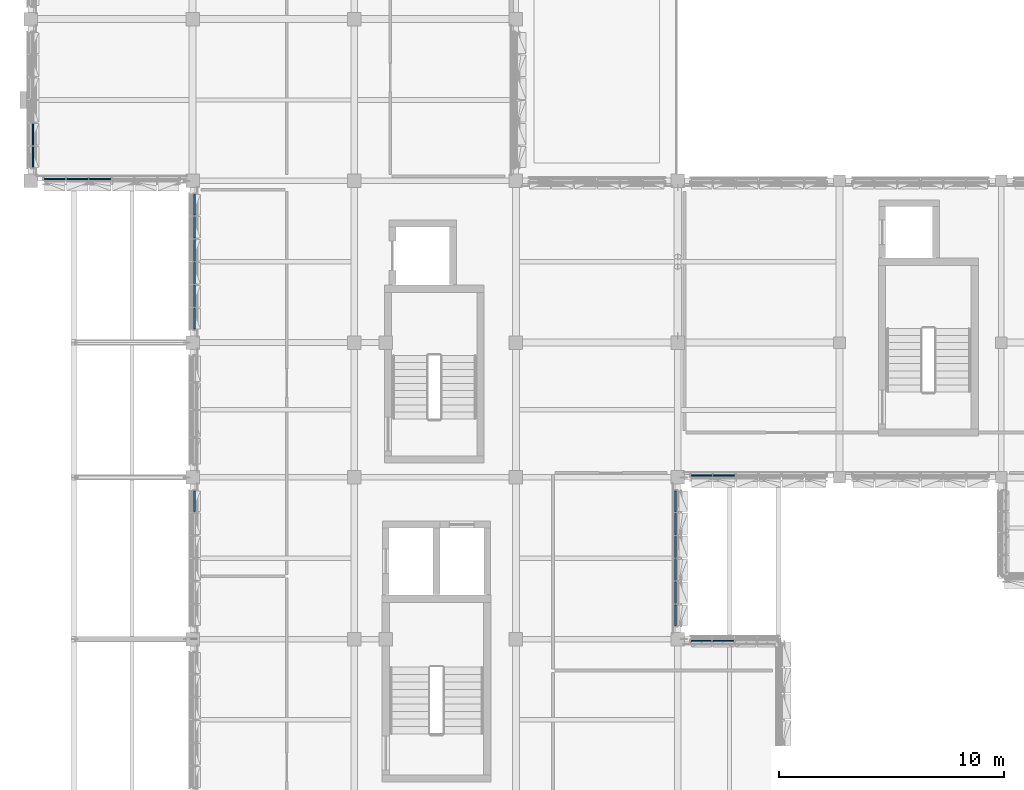
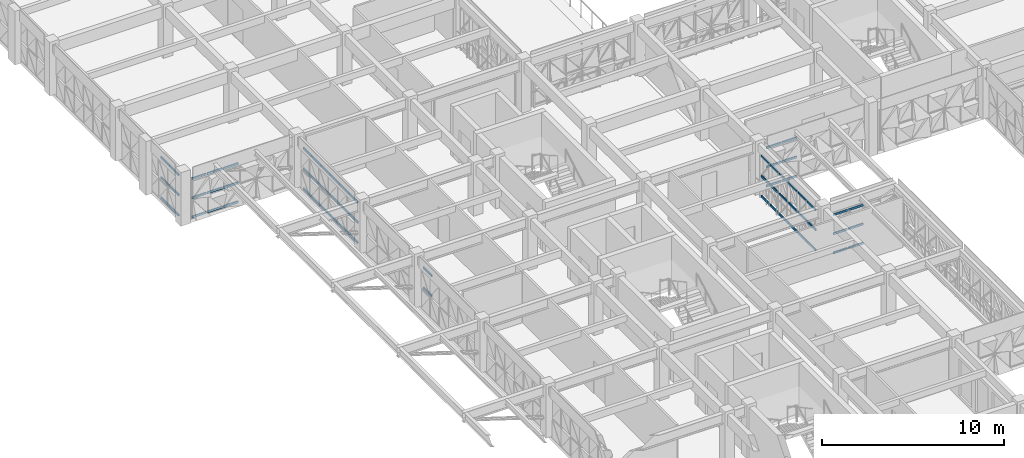
# One storey, part 22 of 99: 65 members, 7 elements without a shape of their own.
"""IFC4 building model written with IfcOpenShell, lengths in metres."""

from ifc_helpers import new_model, si_unit, direction, frame, origin, origin_2d, place, context, subcontext, project, spatial, rectangle, extrude, material, material_profile, profile_set, type_object, element, aggregate, save


model = new_model("IFC4")

# Units and contexts
model_context = context("Model", 3, precision=1e-05, world=origin(), true_north=direction((0.0, 1.0)))
body_context = subcontext(model_context, "Body", "Model", "MODEL_VIEW")
ifc_project = project(units=[si_unit("LENGTHUNIT", "METRE"), si_unit("AREAUNIT", "SQUARE_METRE"), si_unit("VOLUMEUNIT", "CUBIC_METRE"), si_unit("PLANEANGLEUNIT", "RADIAN"), si_unit("MASSUNIT", "GRAM", prefix="KILO")], contexts=[model_context])

# Site, building, storey
site_placement = place(None, origin())
site = spatial("IfcSite", under=ifc_project, at=site_placement, CompositionType="ELEMENT")
building_placement = place(site_placement, origin())
building = spatial("IfcBuilding", under=site, at=building_placement, Name="Alvorim Cloister Faculty of Sciences", CompositionType="ELEMENT")
storey_placement = place(building_placement, frame((0.0, 0.0, 12.14990234375)))
storey = spatial("IfcBuildingStorey", under=building, at=storey_placement, Name="L03", CompositionType="ELEMENT", Elevation=12.14990234375)

# Curtain wall, members
ifc_material_1 = material(Name="Aluminium and Low-E Glass Curtain Wall", Category="aluminium")
curtain_wall_type_1 = type_object("IfcCurtainWallType", Name="CW-TRI-6120x2850", PredefinedType="USERDEFINED", material=ifc_material_1)
curtain_wall_1_placement = place(storey_placement, origin())
curtain_wall_1 = element("IfcCurtainWall", 1, at=curtain_wall_1_placement, inside=storey, type_object=curtain_wall_type_1, Name="L03 Diagonal Cassette Curtain Wall CW-0102", ObjectType="UNITISED CURTAIN WALL", PredefinedType="USERDEFINED")
ifc_material_2 = material(Name="Aluminium Alloy 6063-T6", Category="aluminium")
ifc_material_profile = material_profile(ifc_material_2, rectangle(XDim=0.06494140625, YDim=0.139892578125, at=origin_2d()), Name="ALU-TRN-65x140")
ifc_profile_set = profile_set([ifc_material_profile], Name="Aluminium Alloy 6063-T6")
member_type = type_object("IfcMemberType", Name="CW-TRN-65x140", PredefinedType="USERDEFINED", material=ifc_profile_set)
member_1_placement = place(storey_placement, frame((7.2900390625, 41.672607421875, 1.425048828125), z_axis=(0.0, 1.0, 0.0), x_axis=(-1.0, 0.0, 0.0)))
member_1 = element("IfcMember", 2, at=member_1_placement, type_object=member_type, Name="CW-0102 Transom 6.2", ObjectType="TRANSOM", PredefinedType="USERDEFINED", context=body_context, shape_type="SweptSolid", body=[
    extrude(rectangle(XDim=0.06494140625, YDim=0.139892578125, at=origin_2d()), origin(), (0.0, 0.0, 1.0), 0.92236328125),
])
member_2_placement = place(storey_placement, frame((7.2900390625, 41.672607421875, 2.780029296875), z_axis=(0.0, 1.0, 0.0), x_axis=(-1.0, 0.0, 0.0)))
member_2 = element("IfcMember", 3, at=member_2_placement, type_object=member_type, Name="CW-0102 Transom 6.3", ObjectType="TRANSOM", PredefinedType="USERDEFINED", context=body_context, shape_type="SweptSolid", body=[
    extrude(rectangle(XDim=0.06494140625, YDim=0.139892578125, at=origin_2d()), origin(), (0.0, 0.0, 1.0), 0.92236328125),
])
aggregate(curtain_wall_1, [member_1, member_2])

curtain_wall_2_placement = place(storey_placement, origin())
curtain_wall_2 = element("IfcCurtainWall", 4, at=curtain_wall_2_placement, inside=storey, type_object=curtain_wall_type_1, Name="L03 Diagonal Cassette Curtain Wall CW-0104", ObjectType="UNITISED CURTAIN WALL", PredefinedType="USERDEFINED")
member_3_placement = place(storey_placement, frame((7.2900390625, 49.804931640625, 0.070068359375), z_axis=(0.0, 1.0, 0.0), x_axis=(-1.0, 0.0, 0.0)))
member_3 = element("IfcMember", 5, at=member_3_placement, type_object=member_type, Name="CW-0104 Transom 1.1", ObjectType="TRANSOM", PredefinedType="USERDEFINED", context=body_context, shape_type="SweptSolid", body=[
    extrude(rectangle(XDim=0.06494140625, YDim=0.139892578125, at=origin_2d()), origin(), (0.0, 0.0, 1.0), 0.922607421875),
])
member_4_placement = place(storey_placement, frame((7.2900390625, 49.804931640625, 1.425048828125), z_axis=(0.0, 1.0, 0.0), x_axis=(-1.0, 0.0, 0.0)))
member_4 = element("IfcMember", 6, at=member_4_placement, type_object=member_type, Name="CW-0104 Transom 1.2", ObjectType="TRANSOM", PredefinedType="USERDEFINED", context=body_context, shape_type="SweptSolid", body=[
    extrude(rectangle(XDim=0.06494140625, YDim=0.139892578125, at=origin_2d()), origin(), (0.0, 0.0, 1.0), 0.922607421875),
])
member_5_placement = place(storey_placement, frame((7.2900390625, 49.804931640625, 2.780029296875), z_axis=(0.0, 1.0, 0.0), x_axis=(-1.0, 0.0, 0.0)))
member_5 = element("IfcMember", 7, at=member_5_placement, type_object=member_type, Name="CW-0104 Transom 1.3", ObjectType="TRANSOM", PredefinedType="USERDEFINED", context=body_context, shape_type="SweptSolid", body=[
    extrude(rectangle(XDim=0.06494140625, YDim=0.139892578125, at=origin_2d()), origin(), (0.0, 0.0, 1.0), 0.922607421875),
])
member_6_placement = place(storey_placement, frame((7.2900390625, 50.79248046875, 0.070068359375), z_axis=(0.0, 1.0, 0.0), x_axis=(-1.0, 0.0, 0.0)))
member_6 = element("IfcMember", 8, at=member_6_placement, type_object=member_type, Name="CW-0104 Transom 2.1", ObjectType="TRANSOM", PredefinedType="USERDEFINED", context=body_context, shape_type="SweptSolid", body=[
    extrude(rectangle(XDim=0.06494140625, YDim=0.139892578125, at=origin_2d()), origin(), (0.0, 0.0, 1.0), 0.955078125),
])
member_7_placement = place(storey_placement, frame((7.2900390625, 50.79248046875, 1.425048828125), z_axis=(0.0, 1.0, 0.0), x_axis=(-1.0, 0.0, 0.0)))
member_7 = element("IfcMember", 9, at=member_7_placement, type_object=member_type, Name="CW-0104 Transom 2.2", ObjectType="TRANSOM", PredefinedType="USERDEFINED", context=body_context, shape_type="SweptSolid", body=[
    extrude(rectangle(XDim=0.06494140625, YDim=0.139892578125, at=origin_2d()), origin(), (0.0, 0.0, 1.0), 0.955078125),
])
member_8_placement = place(storey_placement, frame((7.2900390625, 50.79248046875, 2.780029296875), z_axis=(0.0, 1.0, 0.0), x_axis=(-1.0, 0.0, 0.0)))
member_8 = element("IfcMember", 10, at=member_8_placement, type_object=member_type, Name="CW-0104 Transom 2.3", ObjectType="TRANSOM", PredefinedType="USERDEFINED", context=body_context, shape_type="SweptSolid", body=[
    extrude(rectangle(XDim=0.06494140625, YDim=0.139892578125, at=origin_2d()), origin(), (0.0, 0.0, 1.0), 0.955078125),
])
member_9_placement = place(storey_placement, frame((7.2900390625, 51.8125, 0.070068359375), z_axis=(0.0, 1.0, 0.0), x_axis=(-1.0, 0.0, 0.0)))
member_9 = element("IfcMember", 11, at=member_9_placement, type_object=member_type, Name="CW-0104 Transom 3.1", ObjectType="TRANSOM", PredefinedType="USERDEFINED", context=body_context, shape_type="SweptSolid", body=[
    extrude(rectangle(XDim=0.06494140625, YDim=0.139892578125, at=origin_2d()), origin(), (0.0, 0.0, 1.0), 0.955078125),
])
member_10_placement = place(storey_placement, frame((7.2900390625, 51.8125, 1.425048828125), z_axis=(0.0, 1.0, 0.0), x_axis=(-1.0, 0.0, 0.0)))
member_10 = element("IfcMember", 12, at=member_10_placement, type_object=member_type, Name="CW-0104 Transom 3.2", ObjectType="TRANSOM", PredefinedType="USERDEFINED", context=body_context, shape_type="SweptSolid", body=[
    extrude(rectangle(XDim=0.06494140625, YDim=0.139892578125, at=origin_2d()), origin(), (0.0, 0.0, 1.0), 0.955078125),
])
member_11_placement = place(storey_placement, frame((7.2900390625, 51.8125, 2.780029296875), z_axis=(0.0, 1.0, 0.0), x_axis=(-1.0, 0.0, 0.0)))
member_11 = element("IfcMember", 13, at=member_11_placement, type_object=member_type, Name="CW-0104 Transom 3.3", ObjectType="TRANSOM", PredefinedType="USERDEFINED", context=body_context, shape_type="SweptSolid", body=[
    extrude(rectangle(XDim=0.06494140625, YDim=0.139892578125, at=origin_2d()), origin(), (0.0, 0.0, 1.0), 0.955078125),
])
member_12_placement = place(storey_placement, frame((7.2900390625, 52.83251953125, 0.070068359375), z_axis=(0.0, 1.0, 0.0), x_axis=(-1.0, 0.0, 0.0)))
member_12 = element("IfcMember", 14, at=member_12_placement, type_object=member_type, Name="CW-0104 Transom 4.1", ObjectType="TRANSOM", PredefinedType="USERDEFINED", context=body_context, shape_type="SweptSolid", body=[
    extrude(rectangle(XDim=0.06494140625, YDim=0.139892578125, at=origin_2d()), origin(), (0.0, 0.0, 1.0), 0.955078125),
])
member_13_placement = place(storey_placement, frame((7.2900390625, 52.83251953125, 1.425048828125), z_axis=(0.0, 1.0, 0.0), x_axis=(-1.0, 0.0, 0.0)))
member_13 = element("IfcMember", 15, at=member_13_placement, type_object=member_type, Name="CW-0104 Transom 4.2", ObjectType="TRANSOM", PredefinedType="USERDEFINED", context=body_context, shape_type="SweptSolid", body=[
    extrude(rectangle(XDim=0.06494140625, YDim=0.139892578125, at=origin_2d()), origin(), (0.0, 0.0, 1.0), 0.955078125),
])
member_14_placement = place(storey_placement, frame((7.2900390625, 52.83251953125, 2.780029296875), z_axis=(0.0, 1.0, 0.0), x_axis=(-1.0, 0.0, 0.0)))
member_14 = element("IfcMember", 16, at=member_14_placement, type_object=member_type, Name="CW-0104 Transom 4.3", ObjectType="TRANSOM", PredefinedType="USERDEFINED", context=body_context, shape_type="SweptSolid", body=[
    extrude(rectangle(XDim=0.06494140625, YDim=0.139892578125, at=origin_2d()), origin(), (0.0, 0.0, 1.0), 0.955078125),
])
member_15_placement = place(storey_placement, frame((7.2900390625, 53.8525390625, 0.070068359375), z_axis=(0.0, 1.0, 0.0), x_axis=(-1.0, 0.0, 0.0)))
member_15 = element("IfcMember", 17, at=member_15_placement, type_object=member_type, Name="CW-0104 Transom 5.1", ObjectType="TRANSOM", PredefinedType="USERDEFINED", context=body_context, shape_type="SweptSolid", body=[
    extrude(rectangle(XDim=0.06494140625, YDim=0.139892578125, at=origin_2d()), origin(), (0.0, 0.0, 1.0), 0.955078125),
])
member_16_placement = place(storey_placement, frame((7.2900390625, 53.8525390625, 1.425048828125), z_axis=(0.0, 1.0, 0.0), x_axis=(-1.0, 0.0, 0.0)))
member_16 = element("IfcMember", 18, at=member_16_placement, type_object=member_type, Name="CW-0104 Transom 5.2", ObjectType="TRANSOM", PredefinedType="USERDEFINED", context=body_context, shape_type="SweptSolid", body=[
    extrude(rectangle(XDim=0.06494140625, YDim=0.139892578125, at=origin_2d()), origin(), (0.0, 0.0, 1.0), 0.955078125),
])
member_17_placement = place(storey_placement, frame((7.2900390625, 53.8525390625, 2.780029296875), z_axis=(0.0, 1.0, 0.0), x_axis=(-1.0, 0.0, 0.0)))
member_17 = element("IfcMember", 19, at=member_17_placement, type_object=member_type, Name="CW-0104 Transom 5.3", ObjectType="TRANSOM", PredefinedType="USERDEFINED", context=body_context, shape_type="SweptSolid", body=[
    extrude(rectangle(XDim=0.06494140625, YDim=0.139892578125, at=origin_2d()), origin(), (0.0, 0.0, 1.0), 0.955078125),
])
member_18_placement = place(storey_placement, frame((7.2900390625, 54.87255859375, 0.070068359375), z_axis=(0.0, 1.0, 0.0), x_axis=(-1.0, 0.0, 0.0)))
member_18 = element("IfcMember", 20, at=member_18_placement, type_object=member_type, Name="CW-0104 Transom 6.1", ObjectType="TRANSOM", PredefinedType="USERDEFINED", context=body_context, shape_type="SweptSolid", body=[
    extrude(rectangle(XDim=0.06494140625, YDim=0.139892578125, at=origin_2d()), origin(), (0.0, 0.0, 1.0), 0.92236328125),
])
member_19_placement = place(storey_placement, frame((7.2900390625, 54.87255859375, 1.425048828125), z_axis=(0.0, 1.0, 0.0), x_axis=(-1.0, 0.0, 0.0)))
member_19 = element("IfcMember", 21, at=member_19_placement, type_object=member_type, Name="CW-0104 Transom 6.2", ObjectType="TRANSOM", PredefinedType="USERDEFINED", context=body_context, shape_type="SweptSolid", body=[
    extrude(rectangle(XDim=0.06494140625, YDim=0.139892578125, at=origin_2d()), origin(), (0.0, 0.0, 1.0), 0.92236328125),
])
member_20_placement = place(storey_placement, frame((7.2900390625, 54.87255859375, 2.780029296875), z_axis=(0.0, 1.0, 0.0), x_axis=(-1.0, 0.0, 0.0)))
member_20 = element("IfcMember", 22, at=member_20_placement, type_object=member_type, Name="CW-0104 Transom 6.3", ObjectType="TRANSOM", PredefinedType="USERDEFINED", context=body_context, shape_type="SweptSolid", body=[
    extrude(rectangle(XDim=0.06494140625, YDim=0.139892578125, at=origin_2d()), origin(), (0.0, 0.0, 1.0), 0.92236328125),
])
aggregate(curtain_wall_2, [member_3, member_4, member_5, member_6, member_7, member_8, member_9, member_10, member_11, member_12, member_13, member_14, member_15, member_16, member_17, member_18, member_19, member_20])

curtain_wall_type_2 = type_object("IfcCurtainWallType", Name="CW-TRI-6120x2706", PredefinedType="USERDEFINED", material=ifc_material_1)
curtain_wall_3_placement = place(storey_placement, origin())
curtain_wall_3 = element("IfcCurtainWall", 23, at=curtain_wall_3_placement, inside=storey, type_object=curtain_wall_type_2, Name="L03 Diagonal Cassette Curtain Wall CW-0105", ObjectType="UNITISED CURTAIN WALL", PredefinedType="USERDEFINED")
member_21_placement = place(storey_placement, frame((0.60498046875, 56.489990234375, 0.070068359375), z_axis=(1.0, 0.0, 0.0), x_axis=(0.0, 1.0, 0.0)))
member_21 = element("IfcMember", 24, at=member_21_placement, type_object=member_type, Name="CW-0105 Transom 1.1", ObjectType="TRANSOM", PredefinedType="USERDEFINED", context=body_context, shape_type="SweptSolid", body=[
    extrude(rectangle(XDim=0.06494140625, YDim=0.139892578125, at=origin_2d()), origin(), (0.0, 0.0, 1.0), 0.922607421875),
])
member_22_placement = place(storey_placement, frame((0.60498046875, 56.489990234375, 1.35302734375), z_axis=(1.0, 0.0, 0.0), x_axis=(0.0, 1.0, 0.0)))
member_22 = element("IfcMember", 25, at=member_22_placement, type_object=member_type, Name="CW-0105 Transom 1.2", ObjectType="TRANSOM", PredefinedType="USERDEFINED", context=body_context, shape_type="SweptSolid", body=[
    extrude(rectangle(XDim=0.06494140625, YDim=0.139892578125, at=origin_2d()), origin(), (0.0, 0.0, 1.0), 0.922607421875),
])
member_23_placement = place(storey_placement, frame((0.60498046875, 56.489990234375, 2.635986328125), z_axis=(1.0, 0.0, 0.0), x_axis=(0.0, 1.0, 0.0)))
member_23 = element("IfcMember", 26, at=member_23_placement, type_object=member_type, Name="CW-0105 Transom 1.3", ObjectType="TRANSOM", PredefinedType="USERDEFINED", context=body_context, shape_type="SweptSolid", body=[
    extrude(rectangle(XDim=0.06494140625, YDim=0.139892578125, at=origin_2d()), origin(), (0.0, 0.0, 1.0), 0.922607421875),
])
member_24_placement = place(storey_placement, frame((1.592529296875, 56.489990234375, 0.070068359375), z_axis=(1.0, 0.0, 0.0), x_axis=(0.0, 1.0, 0.0)))
member_24 = element("IfcMember", 27, at=member_24_placement, type_object=member_type, Name="CW-0105 Transom 2.1", ObjectType="TRANSOM", PredefinedType="USERDEFINED", context=body_context, shape_type="SweptSolid", body=[
    extrude(rectangle(XDim=0.06494140625, YDim=0.139892578125, at=origin_2d()), origin(), (0.0, 0.0, 1.0), 0.955078125),
])
member_25_placement = place(storey_placement, frame((1.592529296875, 56.489990234375, 1.35302734375), z_axis=(1.0, 0.0, 0.0), x_axis=(0.0, 1.0, 0.0)))
member_25 = element("IfcMember", 28, at=member_25_placement, type_object=member_type, Name="CW-0105 Transom 2.2", ObjectType="TRANSOM", PredefinedType="USERDEFINED", context=body_context, shape_type="SweptSolid", body=[
    extrude(rectangle(XDim=0.06494140625, YDim=0.139892578125, at=origin_2d()), origin(), (0.0, 0.0, 1.0), 0.955078125),
])
member_26_placement = place(storey_placement, frame((1.592529296875, 56.489990234375, 2.635986328125), z_axis=(1.0, 0.0, 0.0), x_axis=(0.0, 1.0, 0.0)))
member_26 = element("IfcMember", 29, at=member_26_placement, type_object=member_type, Name="CW-0105 Transom 2.3", ObjectType="TRANSOM", PredefinedType="USERDEFINED", context=body_context, shape_type="SweptSolid", body=[
    extrude(rectangle(XDim=0.06494140625, YDim=0.139892578125, at=origin_2d()), origin(), (0.0, 0.0, 1.0), 0.955078125),
])
member_27_placement = place(storey_placement, frame((2.612548828125, 56.489990234375, 0.070068359375), z_axis=(1.0, 0.0, 0.0), x_axis=(0.0, 1.0, 0.0)))
member_27 = element("IfcMember", 30, at=member_27_placement, type_object=member_type, Name="CW-0105 Transom 3.1", ObjectType="TRANSOM", PredefinedType="USERDEFINED", context=body_context, shape_type="SweptSolid", body=[
    extrude(rectangle(XDim=0.06494140625, YDim=0.139892578125, at=origin_2d()), origin(), (0.0, 0.0, 1.0), 0.954833984375),
])
member_28_placement = place(storey_placement, frame((2.612548828125, 56.489990234375, 1.35302734375), z_axis=(1.0, 0.0, 0.0), x_axis=(0.0, 1.0, 0.0)))
member_28 = element("IfcMember", 31, at=member_28_placement, type_object=member_type, Name="CW-0105 Transom 3.2", ObjectType="TRANSOM", PredefinedType="USERDEFINED", context=body_context, shape_type="SweptSolid", body=[
    extrude(rectangle(XDim=0.06494140625, YDim=0.139892578125, at=origin_2d()), origin(), (0.0, 0.0, 1.0), 0.954833984375),
])
member_29_placement = place(storey_placement, frame((2.612548828125, 56.489990234375, 2.635986328125), z_axis=(1.0, 0.0, 0.0), x_axis=(0.0, 1.0, 0.0)))
member_29 = element("IfcMember", 32, at=member_29_placement, type_object=member_type, Name="CW-0105 Transom 3.3", ObjectType="TRANSOM", PredefinedType="USERDEFINED", context=body_context, shape_type="SweptSolid", body=[
    extrude(rectangle(XDim=0.06494140625, YDim=0.139892578125, at=origin_2d()), origin(), (0.0, 0.0, 1.0), 0.954833984375),
])
aggregate(curtain_wall_3, [member_21, member_22, member_23, member_24, member_25, member_26, member_27, member_28, member_29])

curtain_wall_4_placement = place(storey_placement, origin())
curtain_wall_4 = element("IfcCurtainWall", 33, at=curtain_wall_4_placement, inside=storey, type_object=curtain_wall_type_1, Name="L03 Diagonal Cassette Curtain Wall CW-0106", ObjectType="UNITISED CURTAIN WALL", PredefinedType="USERDEFINED")
member_30_placement = place(storey_placement, frame((0.090087890625, 57.0048828125, 0.070068359375), z_axis=(0.0, 1.0, 0.0), x_axis=(-1.0, 0.0, 0.0)))
member_30 = element("IfcMember", 34, at=member_30_placement, type_object=member_type, Name="CW-0106 Transom 1.1", ObjectType="TRANSOM", PredefinedType="USERDEFINED", context=body_context, shape_type="SweptSolid", body=[
    extrude(rectangle(XDim=0.06494140625, YDim=0.139892578125, at=origin_2d()), origin(), (0.0, 0.0, 1.0), 0.922607421875),
])
member_31_placement = place(storey_placement, frame((0.090087890625, 57.0048828125, 1.425048828125), z_axis=(0.0, 1.0, 0.0), x_axis=(-1.0, 0.0, 0.0)))
member_31 = element("IfcMember", 35, at=member_31_placement, type_object=member_type, Name="CW-0106 Transom 1.2", ObjectType="TRANSOM", PredefinedType="USERDEFINED", context=body_context, shape_type="SweptSolid", body=[
    extrude(rectangle(XDim=0.06494140625, YDim=0.139892578125, at=origin_2d()), origin(), (0.0, 0.0, 1.0), 0.922607421875),
])
member_32_placement = place(storey_placement, frame((0.090087890625, 57.0048828125, 2.780029296875), z_axis=(0.0, 1.0, 0.0), x_axis=(-1.0, 0.0, 0.0)))
member_32 = element("IfcMember", 36, at=member_32_placement, type_object=member_type, Name="CW-0106 Transom 1.3", ObjectType="TRANSOM", PredefinedType="USERDEFINED", context=body_context, shape_type="SweptSolid", body=[
    extrude(rectangle(XDim=0.06494140625, YDim=0.139892578125, at=origin_2d()), origin(), (0.0, 0.0, 1.0), 0.922607421875),
])
member_33_placement = place(storey_placement, frame((0.090087890625, 57.992431640625, 0.070068359375), z_axis=(0.0, 1.0, 0.0), x_axis=(-1.0, 0.0, 0.0)))
member_33 = element("IfcMember", 37, at=member_33_placement, type_object=member_type, Name="CW-0106 Transom 2.1", ObjectType="TRANSOM", PredefinedType="USERDEFINED", context=body_context, shape_type="SweptSolid", body=[
    extrude(rectangle(XDim=0.06494140625, YDim=0.139892578125, at=origin_2d()), origin(), (0.0, 0.0, 1.0), 0.955078125),
])
member_34_placement = place(storey_placement, frame((0.090087890625, 57.992431640625, 1.425048828125), z_axis=(0.0, 1.0, 0.0), x_axis=(-1.0, 0.0, 0.0)))
member_34 = element("IfcMember", 38, at=member_34_placement, type_object=member_type, Name="CW-0106 Transom 2.2", ObjectType="TRANSOM", PredefinedType="USERDEFINED", context=body_context, shape_type="SweptSolid", body=[
    extrude(rectangle(XDim=0.06494140625, YDim=0.139892578125, at=origin_2d()), origin(), (0.0, 0.0, 1.0), 0.955078125),
])
member_35_placement = place(storey_placement, frame((0.090087890625, 57.992431640625, 2.780029296875), z_axis=(0.0, 1.0, 0.0), x_axis=(-1.0, 0.0, 0.0)))
member_35 = element("IfcMember", 39, at=member_35_placement, type_object=member_type, Name="CW-0106 Transom 2.3", ObjectType="TRANSOM", PredefinedType="USERDEFINED", context=body_context, shape_type="SweptSolid", body=[
    extrude(rectangle(XDim=0.06494140625, YDim=0.139892578125, at=origin_2d()), origin(), (0.0, 0.0, 1.0), 0.955078125),
])
aggregate(curtain_wall_4, [member_30, member_31, member_32, member_33, member_34, member_35])

curtain_wall_5_placement = place(storey_placement, origin())
curtain_wall_5 = element("IfcCurtainWall", 40, at=curtain_wall_5_placement, inside=storey, type_object=curtain_wall_type_2, Name="L03 Diagonal Cassette Curtain Wall CW-0138", ObjectType="UNITISED CURTAIN WALL", PredefinedType="USERDEFINED")
member_36_placement = place(storey_placement, frame((29.405029296875, 43.2900390625, 0.070068359375), z_axis=(1.0, 0.0, 0.0), x_axis=(0.0, 1.0, 0.0)))
member_36 = element("IfcMember", 41, at=member_36_placement, type_object=member_type, Name="CW-0138 Transom 1.1", ObjectType="TRANSOM", PredefinedType="USERDEFINED", context=body_context, shape_type="SweptSolid", body=[
    extrude(rectangle(XDim=0.06494140625, YDim=0.139892578125, at=origin_2d()), origin(), (0.0, 0.0, 1.0), 0.92236328125),
])
member_37_placement = place(storey_placement, frame((29.405029296875, 43.2900390625, 1.35302734375), z_axis=(1.0, 0.0, 0.0), x_axis=(0.0, 1.0, 0.0)))
member_37 = element("IfcMember", 42, at=member_37_placement, type_object=member_type, Name="CW-0138 Transom 1.2", ObjectType="TRANSOM", PredefinedType="USERDEFINED", context=body_context, shape_type="SweptSolid", body=[
    extrude(rectangle(XDim=0.06494140625, YDim=0.139892578125, at=origin_2d()), origin(), (0.0, 0.0, 1.0), 0.92236328125),
])
member_38_placement = place(storey_placement, frame((29.405029296875, 43.2900390625, 2.635986328125), z_axis=(1.0, 0.0, 0.0), x_axis=(0.0, 1.0, 0.0)))
member_38 = element("IfcMember", 43, at=member_38_placement, type_object=member_type, Name="CW-0138 Transom 1.3", ObjectType="TRANSOM", PredefinedType="USERDEFINED", context=body_context, shape_type="SweptSolid", body=[
    extrude(rectangle(XDim=0.06494140625, YDim=0.139892578125, at=origin_2d()), origin(), (0.0, 0.0, 1.0), 0.92236328125),
])
member_39_placement = place(storey_placement, frame((30.392578125, 43.2900390625, 0.070068359375), z_axis=(1.0, 0.0, 0.0), x_axis=(0.0, 1.0, 0.0)))
member_39 = element("IfcMember", 44, at=member_39_placement, type_object=member_type, Name="CW-0138 Transom 2.1", ObjectType="TRANSOM", PredefinedType="USERDEFINED", context=body_context, shape_type="SweptSolid", body=[
    extrude(rectangle(XDim=0.06494140625, YDim=0.139892578125, at=origin_2d()), origin(), (0.0, 0.0, 1.0), 0.954833984375),
])
member_40_placement = place(storey_placement, frame((30.392578125, 43.2900390625, 1.35302734375), z_axis=(1.0, 0.0, 0.0), x_axis=(0.0, 1.0, 0.0)))
member_40 = element("IfcMember", 45, at=member_40_placement, type_object=member_type, Name="CW-0138 Transom 2.2", ObjectType="TRANSOM", PredefinedType="USERDEFINED", context=body_context, shape_type="SweptSolid", body=[
    extrude(rectangle(XDim=0.06494140625, YDim=0.139892578125, at=origin_2d()), origin(), (0.0, 0.0, 1.0), 0.954833984375),
])
member_41_placement = place(storey_placement, frame((30.392578125, 43.2900390625, 2.635986328125), z_axis=(1.0, 0.0, 0.0), x_axis=(0.0, 1.0, 0.0)))
member_41 = element("IfcMember", 46, at=member_41_placement, type_object=member_type, Name="CW-0138 Transom 2.3", ObjectType="TRANSOM", PredefinedType="USERDEFINED", context=body_context, shape_type="SweptSolid", body=[
    extrude(rectangle(XDim=0.06494140625, YDim=0.139892578125, at=origin_2d()), origin(), (0.0, 0.0, 1.0), 0.954833984375),
])
aggregate(curtain_wall_5, [member_36, member_37, member_38, member_39, member_40, member_41])

curtain_wall_6_placement = place(storey_placement, origin())
curtain_wall_6 = element("IfcCurtainWall", 47, at=curtain_wall_6_placement, inside=storey, type_object=curtain_wall_type_1, Name="L03 Diagonal Cassette Curtain Wall CW-0139", ObjectType="UNITISED CURTAIN WALL", PredefinedType="USERDEFINED")
member_42_placement = place(storey_placement, frame((28.7099609375, 36.60498046875, 0.070068359375), z_axis=(0.0, 1.0, 0.0), x_axis=(-1.0, 0.0, 0.0)))
member_42 = element("IfcMember", 48, at=member_42_placement, type_object=member_type, Name="CW-0139 Transom 1.1", ObjectType="TRANSOM", PredefinedType="USERDEFINED", context=body_context, shape_type="SweptSolid", body=[
    extrude(rectangle(XDim=0.06494140625, YDim=0.139892578125, at=origin_2d()), origin(), (0.0, 0.0, 1.0), 0.922607421875),
])
member_43_placement = place(storey_placement, frame((28.7099609375, 36.60498046875, 1.425048828125), z_axis=(0.0, 1.0, 0.0), x_axis=(-1.0, 0.0, 0.0)))
member_43 = element("IfcMember", 49, at=member_43_placement, type_object=member_type, Name="CW-0139 Transom 1.2", ObjectType="TRANSOM", PredefinedType="USERDEFINED", context=body_context, shape_type="SweptSolid", body=[
    extrude(rectangle(XDim=0.06494140625, YDim=0.139892578125, at=origin_2d()), origin(), (0.0, 0.0, 1.0), 0.922607421875),
])
member_44_placement = place(storey_placement, frame((28.7099609375, 36.60498046875, 2.780029296875), z_axis=(0.0, 1.0, 0.0), x_axis=(-1.0, 0.0, 0.0)))
member_44 = element("IfcMember", 50, at=member_44_placement, type_object=member_type, Name="CW-0139 Transom 1.3", ObjectType="TRANSOM", PredefinedType="USERDEFINED", context=body_context, shape_type="SweptSolid", body=[
    extrude(rectangle(XDim=0.06494140625, YDim=0.139892578125, at=origin_2d()), origin(), (0.0, 0.0, 1.0), 0.922607421875),
])
member_45_placement = place(storey_placement, frame((28.7099609375, 37.592529296875, 0.070068359375), z_axis=(0.0, 1.0, 0.0), x_axis=(-1.0, 0.0, 0.0)))
member_45 = element("IfcMember", 51, at=member_45_placement, type_object=member_type, Name="CW-0139 Transom 2.1", ObjectType="TRANSOM", PredefinedType="USERDEFINED", context=body_context, shape_type="SweptSolid", body=[
    extrude(rectangle(XDim=0.06494140625, YDim=0.139892578125, at=origin_2d()), origin(), (0.0, 0.0, 1.0), 0.955078125),
])
member_46_placement = place(storey_placement, frame((28.7099609375, 37.592529296875, 1.425048828125), z_axis=(0.0, 1.0, 0.0), x_axis=(-1.0, 0.0, 0.0)))
member_46 = element("IfcMember", 52, at=member_46_placement, type_object=member_type, Name="CW-0139 Transom 2.2", ObjectType="TRANSOM", PredefinedType="USERDEFINED", context=body_context, shape_type="SweptSolid", body=[
    extrude(rectangle(XDim=0.06494140625, YDim=0.139892578125, at=origin_2d()), origin(), (0.0, 0.0, 1.0), 0.955078125),
])
member_47_placement = place(storey_placement, frame((28.7099609375, 37.592529296875, 2.780029296875), z_axis=(0.0, 1.0, 0.0), x_axis=(-1.0, 0.0, 0.0)))
member_47 = element("IfcMember", 53, at=member_47_placement, type_object=member_type, Name="CW-0139 Transom 2.3", ObjectType="TRANSOM", PredefinedType="USERDEFINED", context=body_context, shape_type="SweptSolid", body=[
    extrude(rectangle(XDim=0.06494140625, YDim=0.139892578125, at=origin_2d()), origin(), (0.0, 0.0, 1.0), 0.955078125),
])
member_48_placement = place(storey_placement, frame((28.7099609375, 38.612548828125, 0.070068359375), z_axis=(0.0, 1.0, 0.0), x_axis=(-1.0, 0.0, 0.0)))
member_48 = element("IfcMember", 54, at=member_48_placement, type_object=member_type, Name="CW-0139 Transom 3.1", ObjectType="TRANSOM", PredefinedType="USERDEFINED", context=body_context, shape_type="SweptSolid", body=[
    extrude(rectangle(XDim=0.06494140625, YDim=0.139892578125, at=origin_2d()), origin(), (0.0, 0.0, 1.0), 0.954833984375),
])
member_49_placement = place(storey_placement, frame((28.7099609375, 38.612548828125, 1.425048828125), z_axis=(0.0, 1.0, 0.0), x_axis=(-1.0, 0.0, 0.0)))
member_49 = element("IfcMember", 55, at=member_49_placement, type_object=member_type, Name="CW-0139 Transom 3.2", ObjectType="TRANSOM", PredefinedType="USERDEFINED", context=body_context, shape_type="SweptSolid", body=[
    extrude(rectangle(XDim=0.06494140625, YDim=0.139892578125, at=origin_2d()), origin(), (0.0, 0.0, 1.0), 0.954833984375),
])
member_50_placement = place(storey_placement, frame((28.7099609375, 38.612548828125, 2.780029296875), z_axis=(0.0, 1.0, 0.0), x_axis=(-1.0, 0.0, 0.0)))
member_50 = element("IfcMember", 56, at=member_50_placement, type_object=member_type, Name="CW-0139 Transom 3.3", ObjectType="TRANSOM", PredefinedType="USERDEFINED", context=body_context, shape_type="SweptSolid", body=[
    extrude(rectangle(XDim=0.06494140625, YDim=0.139892578125, at=origin_2d()), origin(), (0.0, 0.0, 1.0), 0.954833984375),
])
member_51_placement = place(storey_placement, frame((28.7099609375, 39.632568359375, 0.070068359375), z_axis=(0.0, 1.0, 0.0), x_axis=(-1.0, 0.0, 0.0)))
member_51 = element("IfcMember", 57, at=member_51_placement, type_object=member_type, Name="CW-0139 Transom 4.1", ObjectType="TRANSOM", PredefinedType="USERDEFINED", context=body_context, shape_type="SweptSolid", body=[
    extrude(rectangle(XDim=0.06494140625, YDim=0.139892578125, at=origin_2d()), origin(), (0.0, 0.0, 1.0), 0.954833984375),
])
member_52_placement = place(storey_placement, frame((28.7099609375, 39.632568359375, 1.425048828125), z_axis=(0.0, 1.0, 0.0), x_axis=(-1.0, 0.0, 0.0)))
member_52 = element("IfcMember", 58, at=member_52_placement, type_object=member_type, Name="CW-0139 Transom 4.2", ObjectType="TRANSOM", PredefinedType="USERDEFINED", context=body_context, shape_type="SweptSolid", body=[
    extrude(rectangle(XDim=0.06494140625, YDim=0.139892578125, at=origin_2d()), origin(), (0.0, 0.0, 1.0), 0.954833984375),
])
member_53_placement = place(storey_placement, frame((28.7099609375, 39.632568359375, 2.780029296875), z_axis=(0.0, 1.0, 0.0), x_axis=(-1.0, 0.0, 0.0)))
member_53 = element("IfcMember", 59, at=member_53_placement, type_object=member_type, Name="CW-0139 Transom 4.3", ObjectType="TRANSOM", PredefinedType="USERDEFINED", context=body_context, shape_type="SweptSolid", body=[
    extrude(rectangle(XDim=0.06494140625, YDim=0.139892578125, at=origin_2d()), origin(), (0.0, 0.0, 1.0), 0.954833984375),
])
member_54_placement = place(storey_placement, frame((28.7099609375, 40.652587890625, 0.070068359375), z_axis=(0.0, 1.0, 0.0), x_axis=(-1.0, 0.0, 0.0)))
member_54 = element("IfcMember", 60, at=member_54_placement, type_object=member_type, Name="CW-0139 Transom 5.1", ObjectType="TRANSOM", PredefinedType="USERDEFINED", context=body_context, shape_type="SweptSolid", body=[
    extrude(rectangle(XDim=0.06494140625, YDim=0.139892578125, at=origin_2d()), origin(), (0.0, 0.0, 1.0), 0.954833984375),
])
member_55_placement = place(storey_placement, frame((28.7099609375, 40.652587890625, 1.425048828125), z_axis=(0.0, 1.0, 0.0), x_axis=(-1.0, 0.0, 0.0)))
member_55 = element("IfcMember", 61, at=member_55_placement, type_object=member_type, Name="CW-0139 Transom 5.2", ObjectType="TRANSOM", PredefinedType="USERDEFINED", context=body_context, shape_type="SweptSolid", body=[
    extrude(rectangle(XDim=0.06494140625, YDim=0.139892578125, at=origin_2d()), origin(), (0.0, 0.0, 1.0), 0.954833984375),
])
member_56_placement = place(storey_placement, frame((28.7099609375, 40.652587890625, 2.780029296875), z_axis=(0.0, 1.0, 0.0), x_axis=(-1.0, 0.0, 0.0)))
member_56 = element("IfcMember", 62, at=member_56_placement, type_object=member_type, Name="CW-0139 Transom 5.3", ObjectType="TRANSOM", PredefinedType="USERDEFINED", context=body_context, shape_type="SweptSolid", body=[
    extrude(rectangle(XDim=0.06494140625, YDim=0.139892578125, at=origin_2d()), origin(), (0.0, 0.0, 1.0), 0.954833984375),
])
member_57_placement = place(storey_placement, frame((28.7099609375, 41.672607421875, 0.070068359375), z_axis=(0.0, 1.0, 0.0), x_axis=(-1.0, 0.0, 0.0)))
member_57 = element("IfcMember", 63, at=member_57_placement, type_object=member_type, Name="CW-0139 Transom 6.1", ObjectType="TRANSOM", PredefinedType="USERDEFINED", context=body_context, shape_type="SweptSolid", body=[
    extrude(rectangle(XDim=0.06494140625, YDim=0.139892578125, at=origin_2d()), origin(), (0.0, 0.0, 1.0), 0.92236328125),
])
member_58_placement = place(storey_placement, frame((28.7099609375, 41.672607421875, 1.425048828125), z_axis=(0.0, 1.0, 0.0), x_axis=(-1.0, 0.0, 0.0)))
member_58 = element("IfcMember", 64, at=member_58_placement, type_object=member_type, Name="CW-0139 Transom 6.2", ObjectType="TRANSOM", PredefinedType="USERDEFINED", context=body_context, shape_type="SweptSolid", body=[
    extrude(rectangle(XDim=0.06494140625, YDim=0.139892578125, at=origin_2d()), origin(), (0.0, 0.0, 1.0), 0.92236328125),
])
member_59_placement = place(storey_placement, frame((28.7099609375, 41.672607421875, 2.780029296875), z_axis=(0.0, 1.0, 0.0), x_axis=(-1.0, 0.0, 0.0)))
member_59 = element("IfcMember", 65, at=member_59_placement, type_object=member_type, Name="CW-0139 Transom 6.3", ObjectType="TRANSOM", PredefinedType="USERDEFINED", context=body_context, shape_type="SweptSolid", body=[
    extrude(rectangle(XDim=0.06494140625, YDim=0.139892578125, at=origin_2d()), origin(), (0.0, 0.0, 1.0), 0.92236328125),
])
aggregate(curtain_wall_6, [member_42, member_43, member_44, member_45, member_46, member_47, member_48, member_49, member_50, member_51, member_52, member_53, member_54, member_55, member_56, member_57, member_58, member_59])

curtain_wall_type_3 = type_object("IfcCurtainWallType", Name="CW-TRI-3980x2706", PredefinedType="USERDEFINED", material=ifc_material_1)
curtain_wall_7_placement = place(storey_placement, origin())
curtain_wall_7 = element("IfcCurtainWall", 66, at=curtain_wall_7_placement, inside=storey, type_object=curtain_wall_type_3, Name="L03 Diagonal Cassette Curtain Wall CW-0140", ObjectType="UNITISED CURTAIN WALL", PredefinedType="USERDEFINED")
member_60_placement = place(storey_placement, frame((29.405029296875, 35.909912109375, 0.070068359375), z_axis=(1.0, 0.0, 0.0), x_axis=(0.0, 1.0, 0.0)))
member_60 = element("IfcMember", 67, at=member_60_placement, type_object=member_type, Name="CW-0140 Transom 1.1", ObjectType="TRANSOM", PredefinedType="USERDEFINED", context=body_context, shape_type="SweptSolid", body=[
    extrude(rectangle(XDim=0.06494140625, YDim=0.139892578125, at=origin_2d()), origin(), (0.0, 0.0, 1.0), 0.8974609375),
])
member_61_placement = place(storey_placement, frame((29.405029296875, 35.909912109375, 1.35302734375), z_axis=(1.0, 0.0, 0.0), x_axis=(0.0, 1.0, 0.0)))
member_61 = element("IfcMember", 68, at=member_61_placement, type_object=member_type, Name="CW-0140 Transom 1.2", ObjectType="TRANSOM", PredefinedType="USERDEFINED", context=body_context, shape_type="SweptSolid", body=[
    extrude(rectangle(XDim=0.06494140625, YDim=0.139892578125, at=origin_2d()), origin(), (0.0, 0.0, 1.0), 0.8974609375),
])
member_62_placement = place(storey_placement, frame((29.405029296875, 35.909912109375, 2.635986328125), z_axis=(1.0, 0.0, 0.0), x_axis=(0.0, 1.0, 0.0)))
member_62 = element("IfcMember", 69, at=member_62_placement, type_object=member_type, Name="CW-0140 Transom 1.3", ObjectType="TRANSOM", PredefinedType="USERDEFINED", context=body_context, shape_type="SweptSolid", body=[
    extrude(rectangle(XDim=0.06494140625, YDim=0.139892578125, at=origin_2d()), origin(), (0.0, 0.0, 1.0), 0.8974609375),
])
member_63_placement = place(storey_placement, frame((30.367431640625, 35.909912109375, 0.070068359375), z_axis=(1.0, 0.0, 0.0), x_axis=(0.0, 1.0, 0.0)))
member_63 = element("IfcMember", 70, at=member_63_placement, type_object=member_type, Name="CW-0140 Transom 2.1", ObjectType="TRANSOM", PredefinedType="USERDEFINED", context=body_context, shape_type="SweptSolid", body=[
    extrude(rectangle(XDim=0.06494140625, YDim=0.139892578125, at=origin_2d()), origin(), (0.0, 0.0, 1.0), 0.93017578125),
])
member_64_placement = place(storey_placement, frame((30.367431640625, 35.909912109375, 1.35302734375), z_axis=(1.0, 0.0, 0.0), x_axis=(0.0, 1.0, 0.0)))
member_64 = element("IfcMember", 71, at=member_64_placement, type_object=member_type, Name="CW-0140 Transom 2.2", ObjectType="TRANSOM", PredefinedType="USERDEFINED", context=body_context, shape_type="SweptSolid", body=[
    extrude(rectangle(XDim=0.06494140625, YDim=0.139892578125, at=origin_2d()), origin(), (0.0, 0.0, 1.0), 0.93017578125),
])
member_65_placement = place(storey_placement, frame((30.367431640625, 35.909912109375, 2.635986328125), z_axis=(1.0, 0.0, 0.0), x_axis=(0.0, 1.0, 0.0)))
member_65 = element("IfcMember", 72, at=member_65_placement, type_object=member_type, Name="CW-0140 Transom 2.3", ObjectType="TRANSOM", PredefinedType="USERDEFINED", context=body_context, shape_type="SweptSolid", body=[
    extrude(rectangle(XDim=0.06494140625, YDim=0.139892578125, at=origin_2d()), origin(), (0.0, 0.0, 1.0), 0.93017578125),
])
aggregate(curtain_wall_7, [member_60, member_61, member_62, member_63, member_64, member_65])

save(model, "model.ifc")
